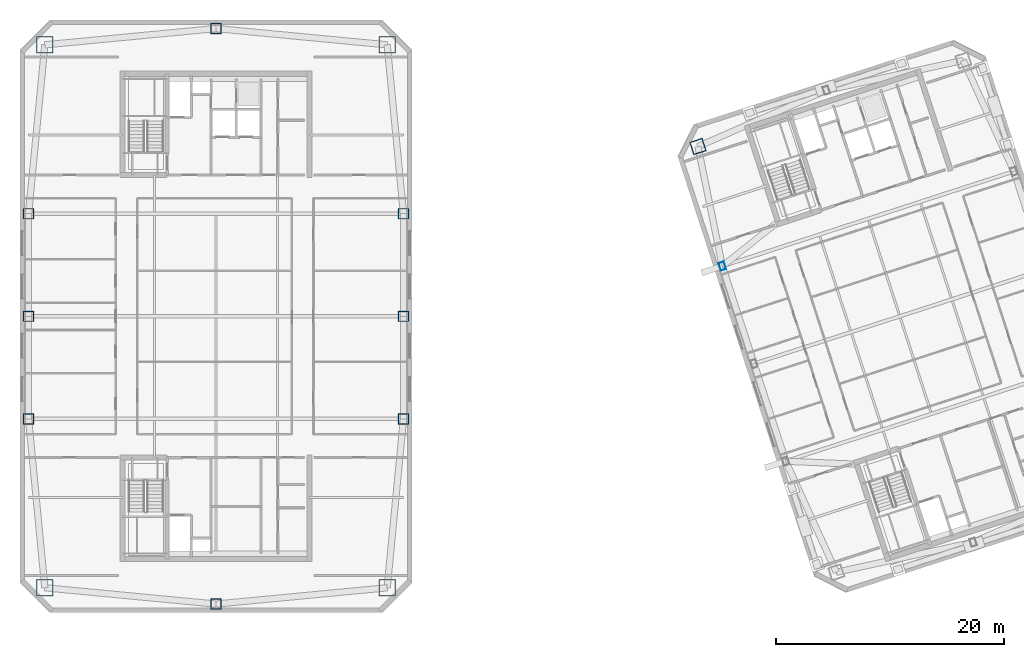
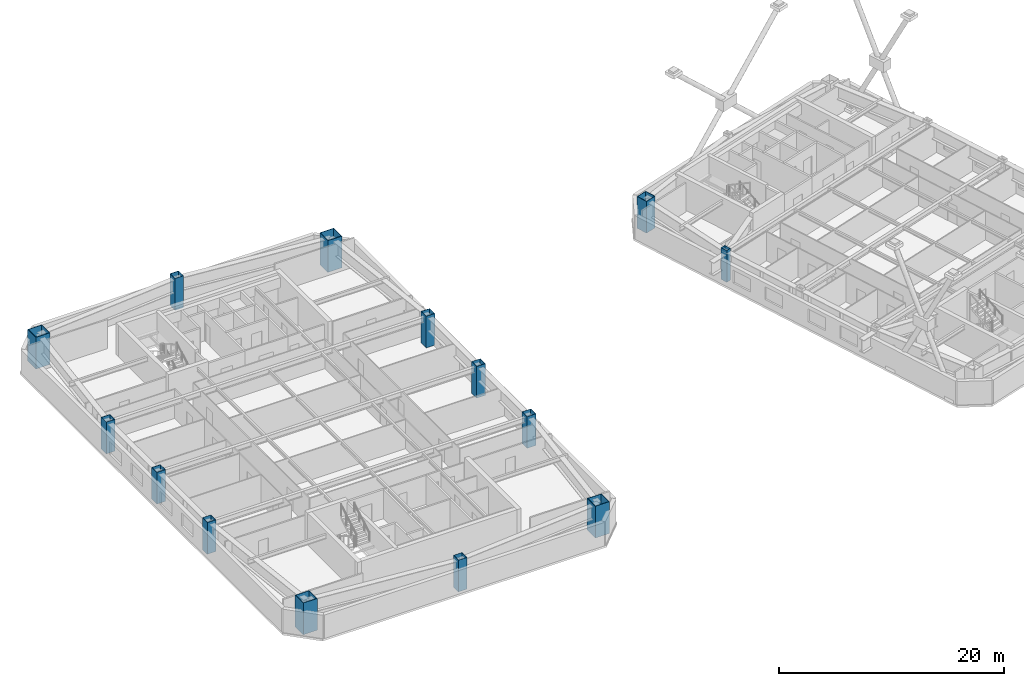
# One storey, part 1 of 15: 14 columns.
"""IFC4 building model written with IfcOpenShell, lengths in metres."""

from ifc_helpers import new_model, si_unit, direction, frame, origin, origin_2d, place, context, subcontext, project, spatial, hollow_rectangle, extrude, material, material_profile, profile_set, type_object, element, save


model = new_model("IFC4")

# Units and contexts
model_context = context("Model", 3, precision=1e-05, world=origin(), true_north=direction((0.0, 1.0)))
body_context = subcontext(model_context, "Body", "Model", "MODEL_VIEW")
ifc_project = project(units=[si_unit("LENGTHUNIT", "METRE"), si_unit("AREAUNIT", "SQUARE_METRE"), si_unit("VOLUMEUNIT", "CUBIC_METRE"), si_unit("PLANEANGLEUNIT", "RADIAN"), si_unit("MASSUNIT", "GRAM", prefix="KILO")], contexts=[model_context])

# Site, building, storey
site_placement = place(None, origin())
site = spatial("IfcSite", under=ifc_project, at=site_placement, CompositionType="ELEMENT")
building_placement = place(site_placement, origin())
building = spatial("IfcBuilding", under=site, at=building_placement, Name="Qiaolan Cultural Towers", CompositionType="ELEMENT")
storey_placement = place(building_placement, frame((0.0, 0.0, 212.75)))
storey = spatial("IfcBuildingStorey", under=building, at=storey_placement, Name="L57", CompositionType="ELEMENT", Elevation=212.75)

# Columns
ifc_material_1 = material(Name="Steel Q390GJB", Category="steel")
ifc_material_profile_1 = material_profile(ifc_material_1, hollow_rectangle(XDim=1.14990234375, YDim=1.14990234375, WallThickness=0.0400390625, at=origin_2d()), Name="BOX1150x1150x40")
ifc_profile_set_1 = profile_set([ifc_material_profile_1], Name="Steel Q390GJB")
column_type_1 = type_object("IfcColumnType", Name="COL-BOX1150x1150x40", PredefinedType="COLUMN", material=ifc_profile_set_1)
column_1_placement = place(storey_placement, frame((72.2900390625, 48.896484375, 0.0), z_axis=(0.0, 0.0, 1.0), x_axis=(0.951056516295, 0.309016994375, 0.0)))
element("IfcColumn", 1, at=column_1_placement, inside=storey, type_object=column_type_1, Name="L57 T2 Perimeter Column MC-NW", PredefinedType="COLUMN", context=body_context, shape_type="SweptSolid", body=[
    extrude(hollow_rectangle(XDim=1.14990234375, YDim=1.14990234375, WallThickness=0.0400390625, at=origin_2d()), origin(), (0.0, 0.0, 1.0), 3.450927734375),
])
ifc_material_2 = material(Name="Steel Q420GJB", Category="steel")
ifc_material_profile_2 = material_profile(ifc_material_2, hollow_rectangle(XDim=1.449951171875, YDim=1.449951171875, WallThickness=0.050048828125, at=origin_2d()), Name="BOX1450x1450x50")
ifc_profile_set_2 = profile_set([ifc_material_profile_2], Name="Steel Q420GJB")
column_type_2 = type_object("IfcColumnType", Name="COL-BOX1450x1450x50", PredefinedType="COLUMN", material=ifc_profile_set_2)
for number, where, z_axis, x_axis, name in (
    (2, (14.97998046875, 10.179931640625, 0.0), (0.0, 0.0, 1.0), (1.0, 0.0, 0.0), "L57 T1 Perimeter Column MC-SW"),
    (3, (45.02001953125, 10.179931640625, 0.0), (0.0, 0.0, 1.0), (1.0, 0.0, 0.0), "L57 T1 Perimeter Column MC-SE"),
    (4, (45.02001953125, 57.820068359375, 0.0), (0.0, 0.0, 1.0), (1.0, 0.0, 0.0), "L57 T1 Perimeter Column MC-NE"),
    (5, (14.97998046875, 57.820068359375, 0.0), (0.0, 0.0, 1.0), (1.0, 0.0, 0.0), "L57 T1 Perimeter Column MC-NW"),
):
    element("IfcColumn", number, at=place(storey_placement, frame(where, z_axis=z_axis, x_axis=x_axis)), inside=storey, type_object=column_type_2, Name=name, PredefinedType="COLUMN", context=body_context, shape_type="SweptSolid", body=[
        extrude(hollow_rectangle(XDim=1.449951171875, YDim=1.449951171875, WallThickness=0.050048828125, at=origin_2d()), origin(), (0.0, 0.0, 1.0), 3.450927734375),
    ])
ifc_material_3 = material(Name="Steel Q355B", Category="steel")
ifc_material_profile_3 = material_profile(ifc_material_3, hollow_rectangle(XDim=0.5, YDim=0.699951171875, WallThickness=0.02490234375, at=origin_2d()), Name="BOX700x500x25")
ifc_profile_set_3 = profile_set([ifc_material_profile_3], Name="Steel Q355B")
column_type_3 = type_object("IfcColumnType", Name="COL-BOX700x500x25", PredefinedType="COLUMN", material=ifc_profile_set_3)
column_2_placement = place(storey_placement, frame((74.42724609375, 38.4033203125, 0.0), z_axis=(0.0, 0.0, 1.0), x_axis=(0.951056516295, 0.309016994375, 0.0)))
element("IfcColumn", 6, at=column_2_placement, inside=storey, type_object=column_type_3, Name="L57 T2 Perimeter Column PC-W3", PredefinedType="COLUMN", context=body_context, shape_type="SweptSolid", body=[
    extrude(hollow_rectangle(XDim=0.5, YDim=0.699951171875, WallThickness=0.02490234375, at=origin_2d()), origin(), (0.0, 0.0, 1.0), 3.450927734375),
])
ifc_material_4 = material(Name="Steel Q355B", Category="steel")
ifc_material_profile_4 = material_profile(ifc_material_4, hollow_rectangle(XDim=0.89990234375, YDim=0.89990234375, WallThickness=0.031982421875, at=origin_2d()), Name="BOX900x900x32")
ifc_profile_set_4 = profile_set([ifc_material_profile_4], Name="Steel Q355B")
column_type_4 = type_object("IfcColumnType", Name="COL-BOX900x900x32", PredefinedType="COLUMN", material=ifc_profile_set_4)
for number, where, z_axis, x_axis, name in (
    (7, (13.550048828125, 25.0, 0.0), (0.0, 0.0, 1.0), (1.0, 0.0, 0.0), "L57 T1 Perimeter Column PC-W1"),
    (8, (13.550048828125, 34.0, 0.0), (0.0, 0.0, 1.0), (1.0, 0.0, 0.0), "L57 T1 Perimeter Column PC-W2"),
    (9, (13.550048828125, 43.0, 0.0), (0.0, 0.0, 1.0), (1.0, 0.0, 0.0), "L57 T1 Perimeter Column PC-W3"),
    (10, (46.449951171875, 25.0, 0.0), (0.0, 0.0, 1.0), (1.0, 0.0, 0.0), "L57 T1 Perimeter Column PC-E1"),
    (11, (46.449951171875, 34.0, 0.0), (0.0, 0.0, 1.0), (1.0, 0.0, 0.0), "L57 T1 Perimeter Column PC-E2"),
    (12, (46.449951171875, 43.0, 0.0), (0.0, 0.0, 1.0), (1.0, 0.0, 0.0), "L57 T1 Perimeter Column PC-E3"),
    (13, (30.0, 8.75, 0.0), (0.0, 0.0, 1.0), (1.0, 0.0, 0.0), "L57 T1 Perimeter Column PC-S0"),
    (14, (30.0, 59.25, 0.0), (0.0, 0.0, 1.0), (1.0, 0.0, 0.0), "L57 T1 Perimeter Column PC-N0"),
):
    element("IfcColumn", number, at=place(storey_placement, frame(where, z_axis=z_axis, x_axis=x_axis)), inside=storey, type_object=column_type_4, Name=name, PredefinedType="COLUMN", context=body_context, shape_type="SweptSolid", body=[
        extrude(hollow_rectangle(XDim=0.89990234375, YDim=0.89990234375, WallThickness=0.031982421875, at=origin_2d()), origin(), (0.0, 0.0, 1.0), 3.450927734375),
    ])

save(model, "model.ifc")
